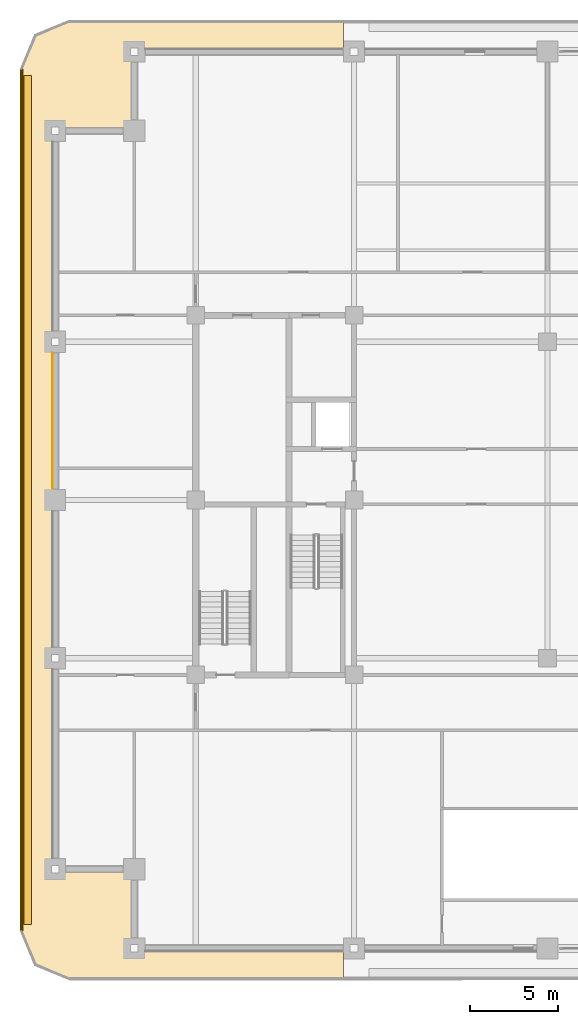
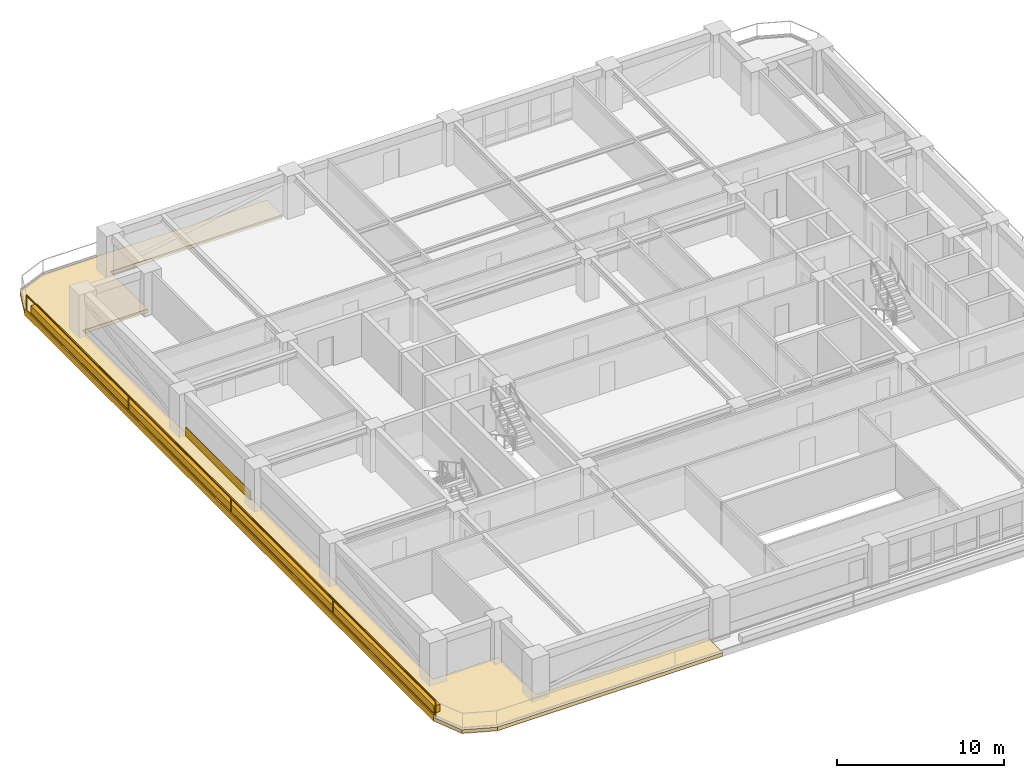
# One storey, part 14 of 17: 4 coverings, 1 railing.
"""IFC4 building model written with IfcOpenShell, lengths in metres."""

from ifc_helpers import new_model, si_unit, direction, frame, frame_2d, origin, origin_2d, place, context, subcontext, project, spatial, polyline, rectangle, outline, extrude, material, layer, layer_set, type_object, element, save


model = new_model("IFC4")

# Units and contexts
model_context = context("Model", 3, precision=1e-05, world=origin(), true_north=direction((0.0, 1.0)))
body_context = subcontext(model_context, "Body", "Model", "MODEL_VIEW")
ifc_project = project(units=[si_unit("LENGTHUNIT", "METRE"), si_unit("AREAUNIT", "SQUARE_METRE"), si_unit("VOLUMEUNIT", "CUBIC_METRE"), si_unit("PLANEANGLEUNIT", "RADIAN"), si_unit("MASSUNIT", "GRAM", prefix="KILO")], contexts=[model_context])

# Site, building, storey
site_placement = place(None, origin())
site = spatial("IfcSite", under=ifc_project, at=site_placement, CompositionType="ELEMENT")
building_placement = place(site_placement, origin())
building = spatial("IfcBuilding", under=site, at=building_placement, Name="Zulmaris Gate Convention Tower", CompositionType="ELEMENT")
storey_placement = place(building_placement, frame((0.0, 0.0, 149.909912109375)))
storey = spatial("IfcBuildingStorey", under=building, at=storey_placement, Name="L38", CompositionType="ELEMENT", Elevation=149.909912109375)

# Coverings
ifc_material_1 = material(Name="Precast concrete C40/50", Category="concrete")
ifc_layer_1 = layer(ifc_material_1, 0.0400390625, Name="Precast concrete C40/50")
ifc_layer_set_1 = layer_set([ifc_layer_1], Name="Precast concrete C40/50")
covering_type_1 = type_object("IfcCoveringType", Name="CLAD-SPANDREL-PRECAST", PredefinedType="CLADDING", material=ifc_layer_set_1)
covering_1_placement = place(storey_placement, frame((-28.14990234375, 8.3701171875, 0.0), z_axis=(0.0, 0.0, 1.0), x_axis=(0.0, -1.0, 0.0)))
element("IfcCovering", 1, at=covering_1_placement, inside=storey, type_object=covering_type_1, Name="CLD-L38-W-2_0", PredefinedType="CLADDING", context=body_context, shape_type="SweptSolid", body=[
    extrude(rectangle(XDim=7.740234375, YDim=0.0400390625, at=frame_2d((3.8701171875, 0.0))), origin(), (0.0, 0.0, 1.0), 0.679931640625),
])
ifc_material_2 = material(Name="White Glazed Architectural Precast Concrete C40/50", Category="concrete")
ifc_layer_2 = layer(ifc_material_2, 0.239990234375, Name="White Glazed Architectural Precast Concrete C40/50")
ifc_layer_set_2 = layer_set([ifc_layer_2], Name="White Glazed Architectural Precast Concrete C40/50")
covering_type_2 = type_object("IfcCoveringType", Name="CLAD-TRAY-DECK", PredefinedType="CLADDING", material=ifc_layer_set_2)
covering_2_placement = place(storey_placement, frame((0.0, 0.0, -0.25)))
element("IfcCovering", 2, at=covering_2_placement, inside=storey, type_object=covering_type_2, Name="L38 West Rounded-Fascia Planter Tray Deck", PredefinedType="CLADDING", context=body_context, shape_type="SweptSolid", body=[
    extrude(outline(polyline([(-30.0, 24.5), (-29.179931640625, 26.47998046875), (-27.199951171875, 27.300048828125), (-11.60205078125, 27.300048828125), (-11.60205078125, 25.5), (-23.5, 25.5), (-23.5, 21.0), (-28.0, 21.0), (-28.0, -21.0), (-23.5, -21.0), (-23.5, -25.5), (-11.60205078125, -25.5), (-11.60205078125, -27.300048828125), (-27.199951171875, -27.300048828125), (-29.179931640625, -26.47998046875), (-30.0, -24.5), (-30.0, 24.5)])), origin(), (0.0, 0.0, 1.0), 0.260009765625),
])
ifc_layer_3 = layer(ifc_material_2, 0.080078125, Name="White Glazed Architectural Precast Concrete C40/50")
ifc_layer_set_3 = layer_set([ifc_layer_3], Name="White Glazed Architectural Precast Concrete C40/50")
covering_type_3 = type_object("IfcCoveringType", Name="CLAD-TRAY-FASCIA", PredefinedType="CLADDING", material=ifc_layer_set_3)
covering_3_placement = place(storey_placement, frame((-29.9599609375, 24.5, -0.2900390625), z_axis=(0.0, 0.0, 1.0), x_axis=(0.0, -1.0, 0.0)))
element("IfcCovering", 3, at=covering_3_placement, inside=storey, type_object=covering_type_3, Name="FSC-L38-TR-11", PredefinedType="CLADDING", context=body_context, shape_type="SweptSolid", body=[
    extrude(rectangle(XDim=49.0, YDim=0.080078125, at=frame_2d((24.5, 0.0))), origin(), (0.0, 0.0, 1.0), 0.4599609375),
])
ifc_material_3 = material(Name="Botanical Green Glazed Precast Concrete C40/50", Category="concrete")
ifc_layer_4 = layer(ifc_material_3, 0.419921875, Name="Botanical Green Glazed Precast Concrete C40/50")
ifc_layer_set_4 = layer_set([ifc_layer_4], Name="Botanical Green Glazed Precast Concrete C40/50")
covering_type_4 = type_object("IfcCoveringType", Name="PLANTER-BOX-200", PredefinedType="CLADDING", material=ifc_layer_set_4)
covering_4_placement = place(storey_placement, frame((0.0, 0.0, 0.010009765625)))
element("IfcCovering", 4, at=covering_4_placement, inside=storey, type_object=covering_type_4, Name="L38 W Full-Length Balcony Tree Planter Trough", PredefinedType="CLADDING", context=body_context, shape_type="SweptSolid", body=[
    extrude(outline(polyline([(-29.760009765625, -24.14990234375), (-29.340087890625, -24.14990234375), (-29.340087890625, 24.14990234375), (-29.760009765625, 24.14990234375), (-29.760009765625, -24.14990234375)])), origin(), (0.0, 0.0, 1.0), 0.52001953125),
])

# Railing
ifc_material_4 = material(Name="Laminated Glass and Stainless Steel", Category="steel")
railing_type = type_object("IfcRailingType", Name="RL-BALC-1150", PredefinedType="BALUSTRADE", material=ifc_material_4)
railing_placement = place(storey_placement, frame((-29.8798828125, 24.5, 0.010009765625)))
element("IfcRailing", 5, at=railing_placement, inside=storey, type_object=railing_type, Name="RL-L38-BALC-W", PredefinedType="BALUSTRADE", context=body_context, shape_type="SweptSolid", body=[
    extrude(rectangle(XDim=0.048095703125, YDim=0.048095703125, at=origin_2d()), frame((0.0, 0.0, 1.1259765625), z_axis=(0.0, -1.0, 0.0), x_axis=(1.0, 0.0, 0.0)), (0.0, 0.0, 1.0), 49.0),
    extrude(rectangle(XDim=0.048095703125, YDim=0.048095703125, at=origin_2d()), frame((0.0, 0.0, 0.02392578125), z_axis=(0.0, -1.0, 0.0), x_axis=(1.0, 0.0, 0.0)), (0.0, 0.0, 1.0), 49.0),
    extrude(rectangle(XDim=0.0419921875, YDim=0.0419921875, at=origin_2d()), origin(), (0.0, 0.0, 1.0), 1.101806640625),
    extrude(rectangle(XDim=0.0419921875, YDim=0.0419921875, at=origin_2d()), frame((0.0, -12.25, 0.0)), (0.0, 0.0, 1.0), 1.101806640625),
    extrude(rectangle(XDim=0.0419921875, YDim=0.0419921875, at=origin_2d()), frame((0.0, -24.5, 0.0)), (0.0, 0.0, 1.0), 1.101806640625),
    extrude(rectangle(XDim=0.0419921875, YDim=0.0419921875, at=origin_2d()), frame((0.0, -36.75, 0.0)), (0.0, 0.0, 1.0), 1.101806640625),
    extrude(rectangle(XDim=0.0419921875, YDim=0.0419921875, at=origin_2d()), frame((0.0, -49.0, 0.0)), (0.0, 0.0, 1.0), 1.101806640625),
])

save(model, "model.ifc")
